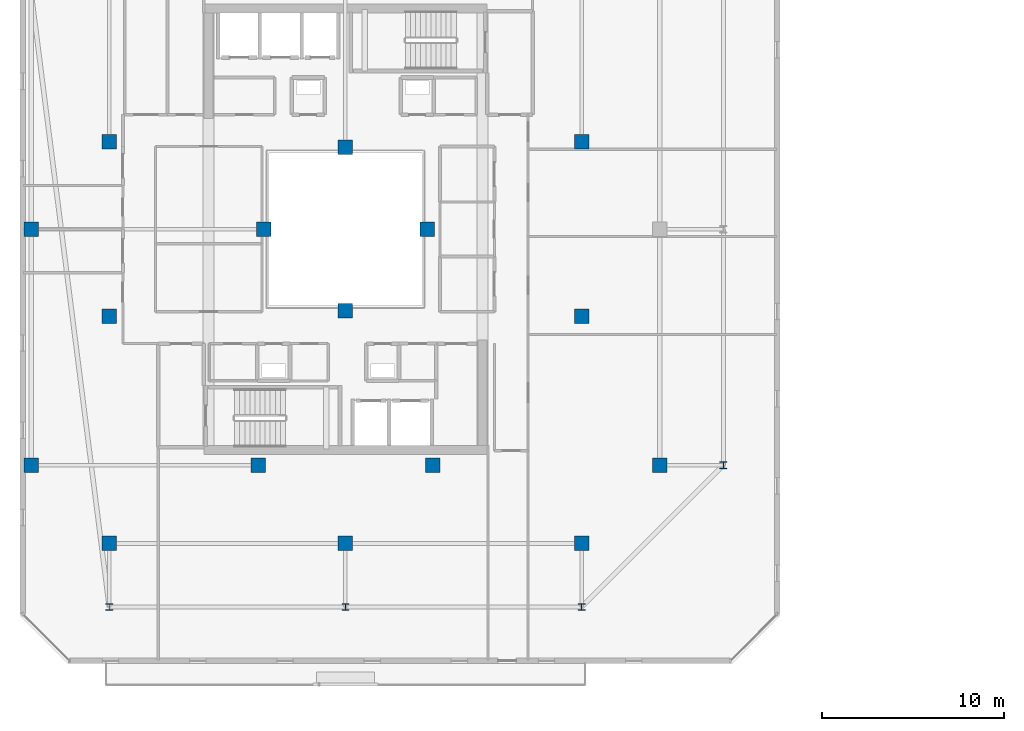
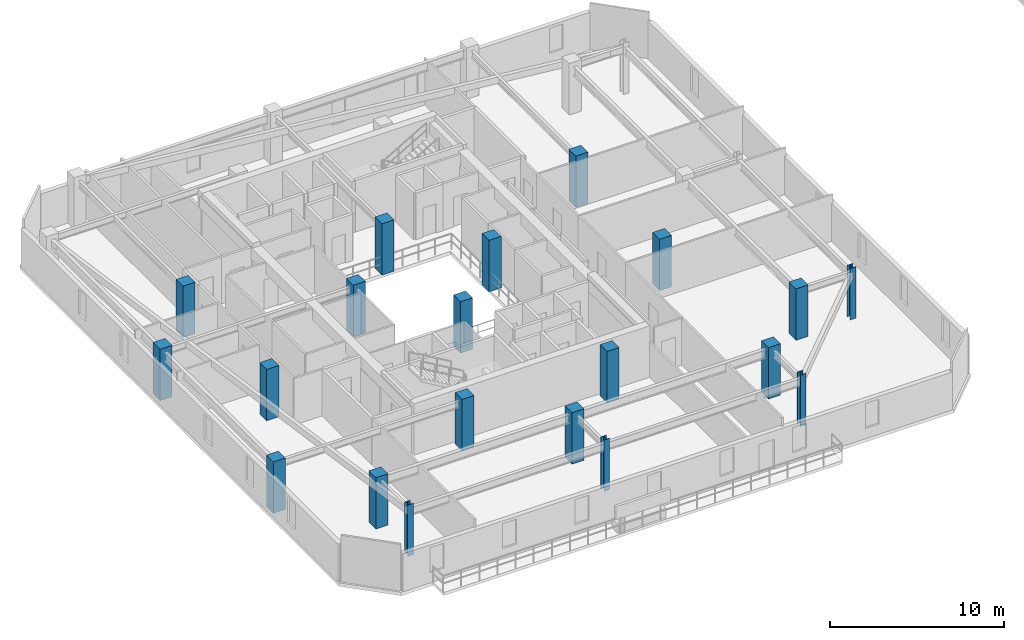
# One storey, part 1 of 35: 20 columns.
"""IFC4 building model written with IfcOpenShell, lengths in metres."""

from ifc_helpers import new_model, si_unit, direction, frame, origin, origin_2d, place, context, subcontext, project, spatial, rectangle, i_section, extrude, material, material_profile, profile_set, type_object, element, save


model = new_model("IFC4")

# Units and contexts
model_context = context("Model", 3, precision=1e-05, world=origin(), true_north=direction((0.0, 1.0)))
body_context = subcontext(model_context, "Body", "Model", "MODEL_VIEW")
ifc_project = project(units=[si_unit("LENGTHUNIT", "METRE"), si_unit("AREAUNIT", "SQUARE_METRE"), si_unit("VOLUMEUNIT", "CUBIC_METRE"), si_unit("PLANEANGLEUNIT", "RADIAN"), si_unit("MASSUNIT", "GRAM", prefix="KILO")], contexts=[model_context])

# Site, building, storey
site_placement = place(None, origin())
site = spatial("IfcSite", under=ifc_project, at=site_placement, CompositionType="ELEMENT")
building_placement = place(site_placement, origin())
building = spatial("IfcBuilding", under=site, at=building_placement, Name="Thornwick Lancets Civic Towers", CompositionType="ELEMENT")
storey_placement = place(building_placement, frame((0.0, 0.0, 276.300048828125)))
storey = spatial("IfcBuildingStorey", under=building, at=storey_placement, Name="L74", CompositionType="ELEMENT", Elevation=276.300048828125)

# Columns
ifc_material_1 = material(Name="Concrete C50/60", Category="concrete")
ifc_material_profile_1 = material_profile(ifc_material_1, rectangle(XDim=0.800048828125, YDim=0.800048828125, at=origin_2d()), Name="RC 800x800")
ifc_profile_set_1 = profile_set([ifc_material_profile_1], Name="Concrete C50/60")
column_type_1 = type_object("IfcColumnType", Name="COL_RC_800", PredefinedType="COLUMN", material=ifc_profile_set_1)
for number, where, z_axis, x_axis, name in (
    (1, (12.5, 9.699951171875, 0.0), (0.0, 0.0, 1.0), (1.0, 0.0, 0.0), "L74 Spine Mega-Column A01"),
    (2, (25.5, 9.699951171875, 0.0), (0.0, 0.0, 1.0), (1.0, 0.0, 0.0), "L74 Spine Mega-Column A02"),
    (3, (38.5, 9.699951171875, 0.0), (0.0, 0.0, 1.0), (1.0, 0.0, 0.0), "L74 Spine Mega-Column A03"),
    (4, (42.800048828125, 14.0, 0.0), (0.0, 0.0, 1.0), (1.0, 0.0, 0.0), "L74 Spine Mega-Column A04"),
    (5, (8.199951171875, 14.0, 0.0), (0.0, 0.0, 1.0), (1.0, 0.0, 0.0), "L74 Spine Mega-Column A10"),
    (6, (8.199951171875, 27.0, 0.0), (0.0, 0.0, 1.0), (1.0, 0.0, 0.0), "L74 Spine Mega-Column A11"),
    (7, (12.5, 22.199951171875, 0.0), (0.0, 0.0, 1.0), (1.0, 0.0, 0.0), "L74 Spine Mega-Column A13"),
    (8, (38.5, 22.199951171875, 0.0), (0.0, 0.0, 1.0), (1.0, 0.0, 0.0), "L74 Spine Mega-Column A14"),
    (9, (12.5, 31.800048828125, 0.0), (0.0, 0.0, 1.0), (1.0, 0.0, 0.0), "L74 Spine Mega-Column A15"),
    (10, (38.5, 31.800048828125, 0.0), (0.0, 0.0, 1.0), (1.0, 0.0, 0.0), "L74 Spine Mega-Column A16"),
    (11, (20.699951171875, 14.0, 0.0), (0.0, 0.0, 1.0), (1.0, 0.0, 0.0), "L74 Spine Mega-Column A17"),
    (12, (30.300048828125, 14.0, 0.0), (0.0, 0.0, 1.0), (1.0, 0.0, 0.0), "L74 Spine Mega-Column A18"),
    (13, (25.5, 22.5, 0.0), (0.0, 0.0, 1.0), (1.0, 0.0, 0.0), "L74 Spine Mega-Column A21"),
    (14, (25.5, 31.5, 0.0), (0.0, 0.0, 1.0), (1.0, 0.0, 0.0), "L74 Spine Mega-Column A22"),
    (15, (21.0, 27.0, 0.0), (0.0, 0.0, 1.0), (1.0, 0.0, 0.0), "L74 Spine Mega-Column A23"),
    (16, (30.0, 27.0, 0.0), (0.0, 0.0, 1.0), (1.0, 0.0, 0.0), "L74 Spine Mega-Column A24"),
):
    element("IfcColumn", number, at=place(storey_placement, frame(where, z_axis=z_axis, x_axis=x_axis)), inside=storey, type_object=column_type_1, Name=name, PredefinedType="COLUMN", context=body_context, shape_type="SweptSolid", body=[
        extrude(rectangle(XDim=0.800048828125, YDim=0.800048828125, at=origin_2d()), origin(), (0.0, 0.0, 1.0), 3.599853515625),
    ])
ifc_material_2 = material(Name="Steel S355JR", Category="steel")
ifc_material_profile_2 = material_profile(ifc_material_2, i_section(OverallWidth=0.374755859375, OverallDepth=0.37451171875, WebThickness=0.0166015625, FlangeThickness=0.027099609375, FilletRadius=0.01513671875, at=origin_2d()), Name="UKC 356x368x202")
ifc_profile_set_2 = profile_set([ifc_material_profile_2], Name="Steel S355JR")
column_type_2 = type_object("IfcColumnType", Name="COL_UKC_202", PredefinedType="COLUMN", material=ifc_profile_set_2)
for number, where, z_axis, x_axis, name in (
    (17, (12.5, 6.199951171875, 0.0), (0.0, 0.0, 1.0), (1.0, 0.0, 0.0), "L74 Block Perimeter Column A01"),
    (18, (25.5, 6.199951171875, 0.0), (0.0, 0.0, 1.0), (1.0, 0.0, 0.0), "L74 Block Perimeter Column A02"),
    (19, (38.5, 6.199951171875, 0.0), (0.0, 0.0, 1.0), (1.0, 0.0, 0.0), "L74 Block Perimeter Column A03"),
    (20, (46.300048828125, 14.0, 0.0), (0.0, 0.0, 1.0), (1.0, 0.0, 0.0), "L74 Block Perimeter Column A04"),
):
    element("IfcColumn", number, at=place(storey_placement, frame(where, z_axis=z_axis, x_axis=x_axis)), inside=storey, type_object=column_type_2, Name=name, PredefinedType="COLUMN", context=body_context, shape_type="SweptSolid", body=[
        extrude(i_section(OverallWidth=0.374755859375, OverallDepth=0.37451171875, WebThickness=0.0166015625, FlangeThickness=0.027099609375, FilletRadius=0.01513671875, at=origin_2d()), origin(), (0.0, 0.0, 1.0), 3.599853515625),
    ])

save(model, "model.ifc")
